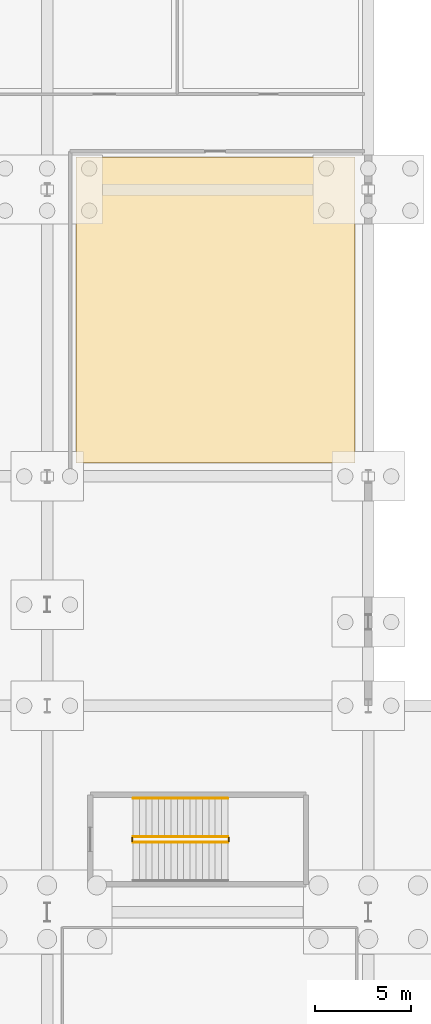
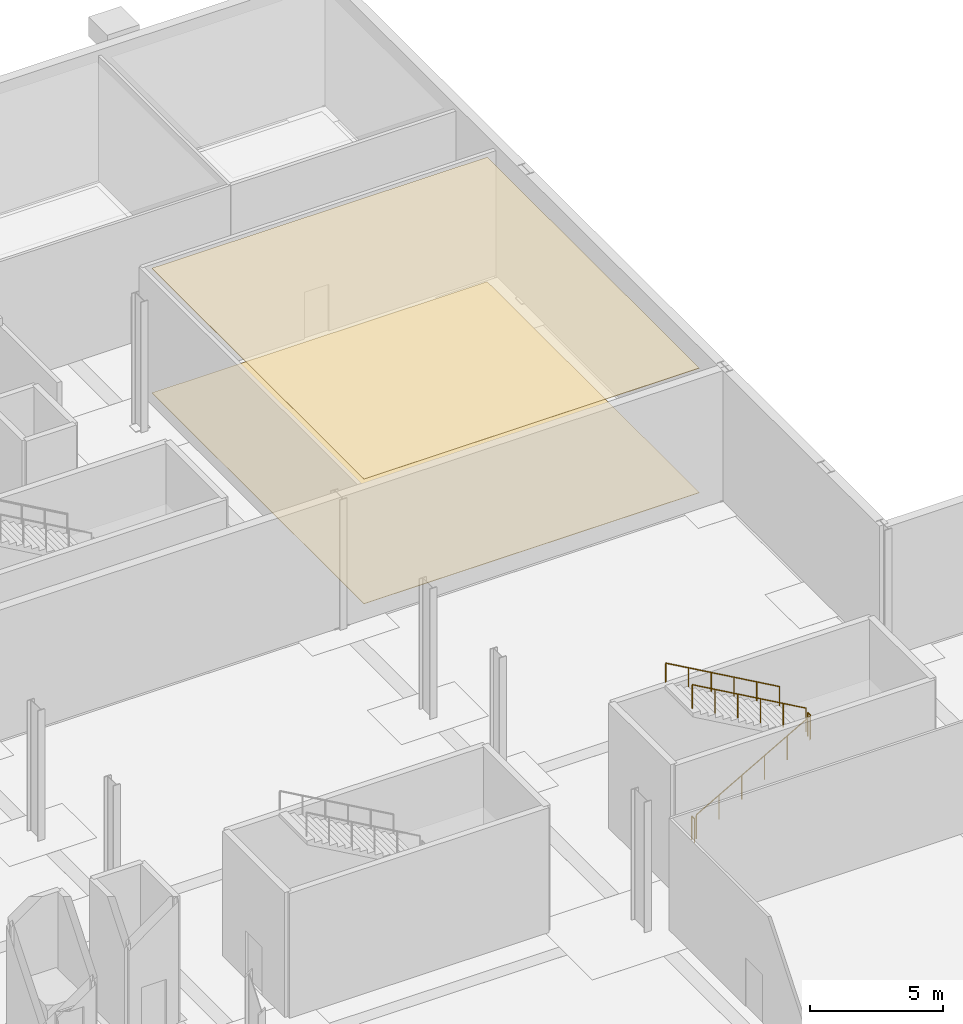
# One storey, part 44 of 46: 5 railings, 2 coverings.
"""IFC4 building model written with IfcOpenShell, lengths in metres."""

from ifc_helpers import new_model, si_unit, direction, frame, origin, origin_2d, place, context, subcontext, project, spatial, polyline, circle, outline, extrude, material, layer, layer_set, type_object, element, save


model = new_model("IFC4")

# Units and contexts
model_context = context("Model", 3, precision=1e-05, world=origin(), true_north=direction((0.0, 1.0)))
body_context = subcontext(model_context, "Body", "Model", "MODEL_VIEW")
ifc_project = project(units=[si_unit("LENGTHUNIT", "METRE"), si_unit("AREAUNIT", "SQUARE_METRE"), si_unit("VOLUMEUNIT", "CUBIC_METRE"), si_unit("PLANEANGLEUNIT", "RADIAN"), si_unit("MASSUNIT", "GRAM", prefix="KILO")], contexts=[model_context])

# Site, building, storey
site_placement = place(None, origin())
site = spatial("IfcSite", under=ifc_project, at=site_placement, CompositionType="ELEMENT")
building_placement = place(site_placement, origin())
building = spatial("IfcBuilding", under=site, at=building_placement, Name="Kimbaza Rail Terminus", CompositionType="ELEMENT")
storey_placement = place(building_placement, frame((0.0, 0.0, -6.0)))
storey = spatial("IfcBuildingStorey", under=building, at=storey_placement, Name="B1", CompositionType="ELEMENT", Elevation=-6.0)

# Coverings
ifc_material_1 = material(Name="Perforated acoustic mineral ceiling tile", Category="gypsum")
ifc_layer_1 = layer(ifc_material_1, 0.02490234375)
ifc_layer_set_1 = layer_set([ifc_layer_1], Name="Perforated acoustic mineral ceiling tile")
covering_type_1 = type_object("IfcCoveringType", Name="ARC-COV-CEIL", PredefinedType="CEILING", material=ifc_layer_set_1)
covering_1_placement = place(storey_placement, frame((0.0, 0.0, 5.72998046875)))
element("IfcCovering", 1, at=covering_1_placement, inside=storey, type_object=covering_type_1, Name="B1 East Telecoms Technical Office Acoustic Ceiling", PredefinedType="CEILING", context=body_context, shape_type="SweptSolid", body=[
    extrude(outline(polyline([(140.699951171875, 103.699951171875), (155.300048828125, 103.699951171875), (155.300048828125, 119.699951171875), (140.699951171875, 119.699951171875), (140.699951171875, 103.699951171875)])), origin(), (0.0, 0.0, 1.0), 0.02490234375),
])
ifc_material_2 = material(Name="Honed Congolese granite terrazzo flooring", Category="masonry")
ifc_layer_2 = layer(ifc_material_2, 0.02001953125)
ifc_layer_set_2 = layer_set([ifc_layer_2], Name="Honed Congolese granite terrazzo flooring")
covering_type_2 = type_object("IfcCoveringType", Name="ARC-COV-FLOR", PredefinedType="FLOORING", material=ifc_layer_set_2)
covering_2_placement = place(storey_placement, origin())
element("IfcCovering", 2, at=covering_2_placement, inside=storey, type_object=covering_type_2, Name="B1 East Telecoms Technical Office Terrazzo Flooring", PredefinedType="FLOORING", context=body_context, shape_type="SweptSolid", body=[
    extrude(outline(polyline([(140.699951171875, 103.699951171875), (155.300048828125, 103.699951171875), (155.300048828125, 119.699951171875), (140.699951171875, 119.699951171875), (140.699951171875, 103.699951171875)])), origin(), (0.0, 0.0, 1.0), 0.02001953125),
])

# Railings
ifc_material_3 = material(Name="Brushed stainless steel handrail", Category="steel")
railing_type_1 = type_object("IfcRailingType", Name="ARC-RL-HND92", PredefinedType="HANDRAIL", material=ifc_material_3)
railing_1_placement = place(storey_placement, frame((148.64990234375, 86.14990234375, 3.1875)))
element("IfcRailing", 3, at=railing_1_placement, inside=storey, type_object=railing_type_1, Name="B1 ST-C2 stair handrail 2", PredefinedType="HANDRAIL", context=body_context, shape_type="SweptSolid", body=[
    extrude(circle(Radius=0.02392578125, at=origin_2d()), frame((0.0, 0.0, 0.8759765625), z_axis=(-0.869454464302, 0.0, 0.494013091431), x_axis=(0.0, -1.0, 0.0)), (0.0, 0.0, 1.0), 5.693115234375),
    extrude(circle(Radius=0.02099609375, at=origin_2d()), origin(), (0.0, 0.0, 1.0), 0.851806640625),
    extrude(circle(Radius=0.02099609375, at=origin_2d()), frame((-0.989990234375, 0.0, 0.5625)), (0.0, 0.0, 1.0), 0.851806640625),
    extrude(circle(Radius=0.02099609375, at=origin_2d()), frame((-1.97998046875, 0.0, 1.125)), (0.0, 0.0, 1.0), 0.851806640625),
    extrude(circle(Radius=0.02099609375, at=origin_2d()), frame((-2.969970703125, 0.0, 1.6875)), (0.0, 0.0, 1.0), 0.851806640625),
    extrude(circle(Radius=0.02099609375, at=origin_2d()), frame((-3.9599609375, 0.0, 2.25)), (0.0, 0.0, 1.0), 0.851806640625),
    extrude(circle(Radius=0.02099609375, at=origin_2d()), frame((-4.949951171875, 0.0, 2.8125)), (0.0, 0.0, 1.0), 0.851806640625),
])
ifc_material_4 = material(Name="Painted tubular steel stair well guard", Category="steel")
railing_type_2 = type_object("IfcRailingType", Name="ARC-RL-STGRD", PredefinedType="GUARDRAIL", material=ifc_material_4)
railing_2_placement = place(storey_placement, frame((143.699951171875, 83.85009765625, 0.1875)))
element("IfcRailing", 4, at=railing_2_placement, inside=storey, type_object=railing_type_2, Name="B1 ST-C2 stair guard 1", PredefinedType="GUARDRAIL", context=body_context, shape_type="SweptSolid", body=[
    extrude(circle(Radius=0.02392578125, at=origin_2d()), frame((0.0, 0.0, 1.09619140625), z_axis=(0.869454464302, 0.0, 0.494013091431), x_axis=(0.0, 1.0, 0.0)), (0.0, 0.0, 1.0), 5.693115234375),
    extrude(circle(Radius=0.02099609375, at=origin_2d()), origin(), (0.0, 0.0, 1.0), 1.072021484375),
    extrude(circle(Radius=0.02099609375, at=origin_2d()), frame((0.989990234375, 0.0, 0.5625)), (0.0, 0.0, 1.0), 1.072021484375),
    extrude(circle(Radius=0.02099609375, at=origin_2d()), frame((1.97998046875, 0.0, 1.125)), (0.0, 0.0, 1.0), 1.072021484375),
    extrude(circle(Radius=0.02099609375, at=origin_2d()), frame((2.969970703125, 0.0, 1.6875)), (0.0, 0.0, 1.0), 1.072021484375),
    extrude(circle(Radius=0.02099609375, at=origin_2d()), frame((3.9599609375, 0.0, 2.25)), (0.0, 0.0, 1.0), 1.072021484375),
    extrude(circle(Radius=0.02099609375, at=origin_2d()), frame((4.949951171875, 0.0, 2.8125)), (0.0, 0.0, 1.0), 1.072021484375),
])
railing_3_placement = place(storey_placement, frame((148.699951171875, 83.89990234375, 3.0)))
element("IfcRailing", 5, at=railing_3_placement, inside=storey, type_object=railing_type_2, Name="B1 ST-C2 stair guard 2", PredefinedType="GUARDRAIL", context=body_context, shape_type="SweptSolid", body=[
    extrude(circle(Radius=0.02392578125, at=origin_2d()), frame((0.0, 0.0, 1.09619140625), z_axis=(0.0, 1.0, 0.0), x_axis=(-1.0, 0.0, 0.0)), (0.0, 0.0, 1.0), 0.2001953125),
    extrude(circle(Radius=0.02099609375, at=origin_2d()), origin(), (0.0, 0.0, 1.0), 1.072021484375),
    extrude(circle(Radius=0.02099609375, at=origin_2d()), frame((0.0, 0.2001953125, 0.0)), (0.0, 0.0, 1.0), 1.072021484375),
])
railing_4_placement = place(storey_placement, frame((148.64990234375, 84.14990234375, 3.1875)))
element("IfcRailing", 6, at=railing_4_placement, inside=storey, type_object=railing_type_2, Name="B1 ST-C2 stair guard 3", PredefinedType="GUARDRAIL", context=body_context, shape_type="SweptSolid", body=[
    extrude(circle(Radius=0.02392578125, at=origin_2d()), frame((0.0, 0.0, 1.09619140625), z_axis=(-0.869454464302, 0.0, 0.494013091431), x_axis=(0.0, -1.0, 0.0)), (0.0, 0.0, 1.0), 5.693115234375),
    extrude(circle(Radius=0.02099609375, at=origin_2d()), origin(), (0.0, 0.0, 1.0), 1.072021484375),
    extrude(circle(Radius=0.02099609375, at=origin_2d()), frame((-0.989990234375, 0.0, 0.5625)), (0.0, 0.0, 1.0), 1.072021484375),
    extrude(circle(Radius=0.02099609375, at=origin_2d()), frame((-1.97998046875, 0.0, 1.125)), (0.0, 0.0, 1.0), 1.072021484375),
    extrude(circle(Radius=0.02099609375, at=origin_2d()), frame((-2.969970703125, 0.0, 1.6875)), (0.0, 0.0, 1.0), 1.072021484375),
    extrude(circle(Radius=0.02099609375, at=origin_2d()), frame((-3.9599609375, 0.0, 2.25)), (0.0, 0.0, 1.0), 1.072021484375),
    extrude(circle(Radius=0.02099609375, at=origin_2d()), frame((-4.949951171875, 0.0, 2.8125)), (0.0, 0.0, 1.0), 1.072021484375),
])
railing_5_placement = place(storey_placement, frame((143.64990234375, 83.89990234375, 0.0)))
element("IfcRailing", 7, at=railing_5_placement, inside=storey, type_object=railing_type_2, Name="B1 ST-C2 stair guard 4", PredefinedType="GUARDRAIL", context=body_context, shape_type="SweptSolid", body=[
    extrude(circle(Radius=0.02392578125, at=origin_2d()), frame((0.0, 0.0, 1.09619140625), z_axis=(0.0, 1.0, 0.0), x_axis=(-1.0, 0.0, 0.0)), (0.0, 0.0, 1.0), 0.2001953125),
    extrude(circle(Radius=0.02099609375, at=origin_2d()), origin(), (0.0, 0.0, 1.0), 1.072021484375),
    extrude(circle(Radius=0.02099609375, at=origin_2d()), frame((0.0, 0.2001953125, 0.0)), (0.0, 0.0, 1.0), 1.072021484375),
])

save(model, "model.ifc")
